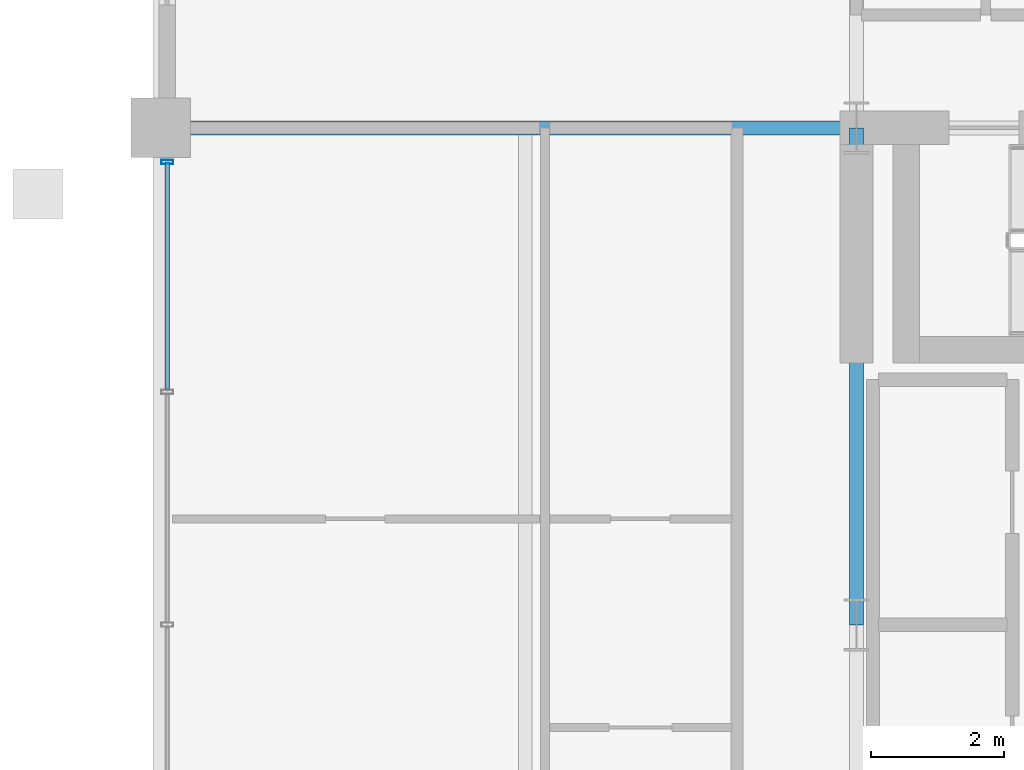
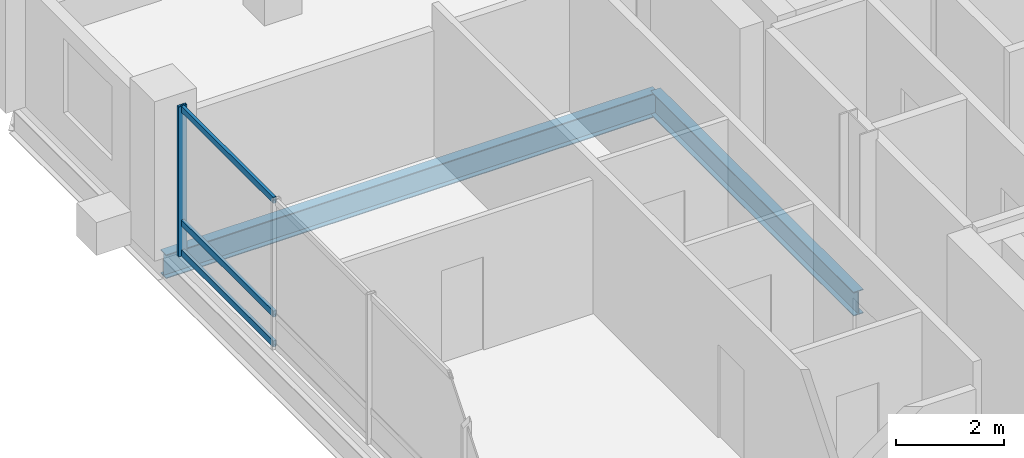
# One storey, part 8 of 22: 4 members, 2 beams, 1 element without a shape of its own.
"""IFC4 building model written with IfcOpenShell, lengths in metres."""

from ifc_helpers import new_model, si_unit, direction, frame, origin, origin_2d, place, context, subcontext, project, spatial, hollow_rectangle, i_section, extrude, material, layer, layer_set, material_profile, profile_set, type_object, element, aggregate, save


model = new_model("IFC4")

# Units and contexts
model_context = context("Model", 3, precision=1e-05, world=origin(), true_north=direction((0.0, 1.0)))
body_context = subcontext(model_context, "Body", "Model", "MODEL_VIEW")
ifc_project = project(units=[si_unit("LENGTHUNIT", "METRE"), si_unit("AREAUNIT", "SQUARE_METRE"), si_unit("VOLUMEUNIT", "CUBIC_METRE"), si_unit("PLANEANGLEUNIT", "RADIAN"), si_unit("MASSUNIT", "GRAM", prefix="KILO")], contexts=[model_context])

# Site, building, storey
site_placement = place(None, origin())
site = spatial("IfcSite", under=ifc_project, at=site_placement, CompositionType="ELEMENT")
building_placement = place(site_placement, origin())
building = spatial("IfcBuilding", under=site, at=building_placement, Name="Barlavira Tower and Art Museum", CompositionType="ELEMENT")
storey_placement = place(building_placement, frame((0.0, 0.0, 243.89990234375)))
storey = spatial("IfcBuildingStorey", under=building, at=storey_placement, Name="L63", CompositionType="ELEMENT", Elevation=243.89990234375)

# Curtain wall, members
ifc_material_1 = material(Name="Low-iron coastal laminated glass", Category="glass")
ifc_layer = layer(ifc_material_1, 0.2099609375, Name="Low-iron coastal laminated glass")
ifc_layer_set = layer_set([ifc_layer], Name="Low-iron coastal laminated glass")
curtain_wall_type = type_object("IfcCurtainWallType", Name="Pale-Metal Unitised Curtain Wall Zone 4", PredefinedType="NOTDEFINED", material=ifc_layer_set)
curtain_wall_placement = place(storey_placement, origin())
curtain_wall = element("IfcCurtainWall", 1, at=curtain_wall_placement, inside=storey, type_object=curtain_wall_type, Name="L63 Curtain Wall CW4-L63-W-B3", PredefinedType="NOTDEFINED")
ifc_material_2 = material(Name="Pale anodised aluminium", Category="aluminium")
ifc_material_profile_1 = material_profile(ifc_material_2, hollow_rectangle(XDim=0.06494140625, YDim=0.179931640625, WallThickness=0.00390625, at=origin_2d()), Name="ALU-MULL 65x180x4")
ifc_profile_set_1 = profile_set([ifc_material_profile_1], Name="Pale anodised aluminium")
member_type_1 = type_object("IfcMemberType", Name="Curtain Wall Pale-Metal Mullion 65x180", PredefinedType="MULLION", material=ifc_profile_set_1)
member_1_placement = place(storey_placement, frame((-16.89990234375, 6.985107421875, 0.0), z_axis=(0.0, 0.0, 1.0), x_axis=(0.0, -1.0, 0.0)))
member_1 = element("IfcMember", 2, at=member_1_placement, type_object=member_type_1, Name="CW4-L63-W-B3 Mullion 0", PredefinedType="MULLION", context=body_context, shape_type="SweptSolid", body=[
    extrude(hollow_rectangle(XDim=0.06494140625, YDim=0.179931640625, WallThickness=0.00390625, at=origin_2d()), origin(), (0.0, 0.0, 1.0), 3.380126953125),
])
ifc_material_profile_2 = material_profile(ifc_material_2, hollow_rectangle(XDim=0.06494140625, YDim=0.139892578125, WallThickness=0.00390625, at=origin_2d()), Name="ALU-TRAN 65x140x4")
ifc_profile_set_2 = profile_set([ifc_material_profile_2], Name="Pale anodised aluminium")
member_type_2 = type_object("IfcMemberType", Name="Curtain Wall Pale-Metal Transom 65x140", PredefinedType="USERDEFINED", material=ifc_profile_set_2)
member_2_placement = place(storey_placement, frame((-16.89990234375, 6.985107421875, 0.070068359375), z_axis=(0.0, -1.0, 0.0), x_axis=(1.0, 0.0, 0.0)))
member_2 = element("IfcMember", 3, at=member_2_placement, type_object=member_type_2, Name="CW4-L63-W-B3 Transom 0.1", ObjectType="TRANSOM", PredefinedType="USERDEFINED", context=body_context, shape_type="SweptSolid", body=[
    extrude(hollow_rectangle(XDim=0.06494140625, YDim=0.139892578125, WallThickness=0.00390625, at=origin_2d()), origin(), (0.0, 0.0, 1.0), 3.425048828125),
])
member_3_placement = place(storey_placement, frame((-16.89990234375, 6.985107421875, 0.744140625), z_axis=(0.0, -1.0, 0.0), x_axis=(1.0, 0.0, 0.0)))
member_3 = element("IfcMember", 4, at=member_3_placement, type_object=member_type_2, Name="CW4-L63-W-B3 Transom 0.2", ObjectType="TRANSOM", PredefinedType="USERDEFINED", context=body_context, shape_type="SweptSolid", body=[
    extrude(hollow_rectangle(XDim=0.06494140625, YDim=0.139892578125, WallThickness=0.00390625, at=origin_2d()), origin(), (0.0, 0.0, 1.0), 3.425048828125),
])
member_4_placement = place(storey_placement, frame((-16.89990234375, 6.985107421875, 3.31005859375), z_axis=(0.0, -1.0, 0.0), x_axis=(1.0, 0.0, 0.0)))
member_4 = element("IfcMember", 5, at=member_4_placement, type_object=member_type_2, Name="CW4-L63-W-B3 Transom 0.3", ObjectType="TRANSOM", PredefinedType="USERDEFINED", context=body_context, shape_type="SweptSolid", body=[
    extrude(hollow_rectangle(XDim=0.06494140625, YDim=0.139892578125, WallThickness=0.00390625, at=origin_2d()), origin(), (0.0, 0.0, 1.0), 3.425048828125),
])
aggregate(curtain_wall, [member_1, member_2, member_3, member_4])

# Beams
ifc_material_3 = material(Name="Steel S355", Category="steel")
ifc_material_profile_3 = material_profile(ifc_material_3, i_section(OverallWidth=0.2109375, OverallDepth=0.5390625, WebThickness=0.01171875, FlangeThickness=0.018798828125, at=origin_2d()), Name="W530x109.0")
ifc_profile_set_3 = profile_set([ifc_material_profile_3], Name="Steel S355")
beam_type = type_object("IfcBeamType", Name="Zone 3-4 Primary Floor Girder W530x109 Steel S355", PredefinedType="BEAM", material=ifc_profile_set_3)
beam_1_placement = place(storey_placement, frame((-6.5, 0.0, -0.489501953125), z_axis=(0.0, 1.0, 0.0), x_axis=(-1.0, 0.0, 0.0)))
element("IfcBeam", 6, at=beam_1_placement, inside=storey, type_object=beam_type, Name="L63 Girder C-W2", PredefinedType="BEAM", context=body_context, shape_type="SweptSolid", body=[
    extrude(i_section(OverallWidth=0.2109375, OverallDepth=0.5390625, WebThickness=0.01171875, FlangeThickness=0.018798828125, at=origin_2d()), origin(), (0.0, 0.0, 1.0), 7.5),
])
beam_2_placement = place(storey_placement, frame((-17.0, 7.5, -0.489501953125), z_axis=(1.0, 0.0, 0.0), x_axis=(0.0, 1.0, 0.0)))
element("IfcBeam", 7, at=beam_2_placement, inside=storey, type_object=beam_type, Name="L63 Girder R-W2", PredefinedType="BEAM", context=body_context, shape_type="SweptSolid", body=[
    extrude(i_section(OverallWidth=0.2109375, OverallDepth=0.5390625, WebThickness=0.01171875, FlangeThickness=0.018798828125, at=origin_2d()), origin(), (0.0, 0.0, 1.0), 10.5),
])

save(model, "model.ifc")
